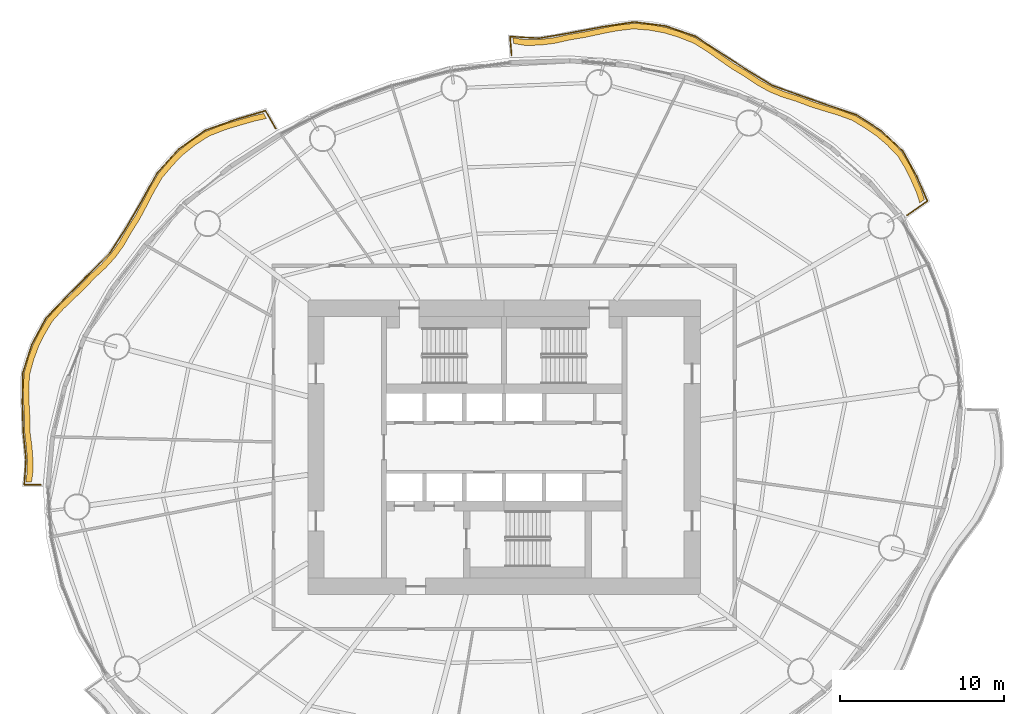
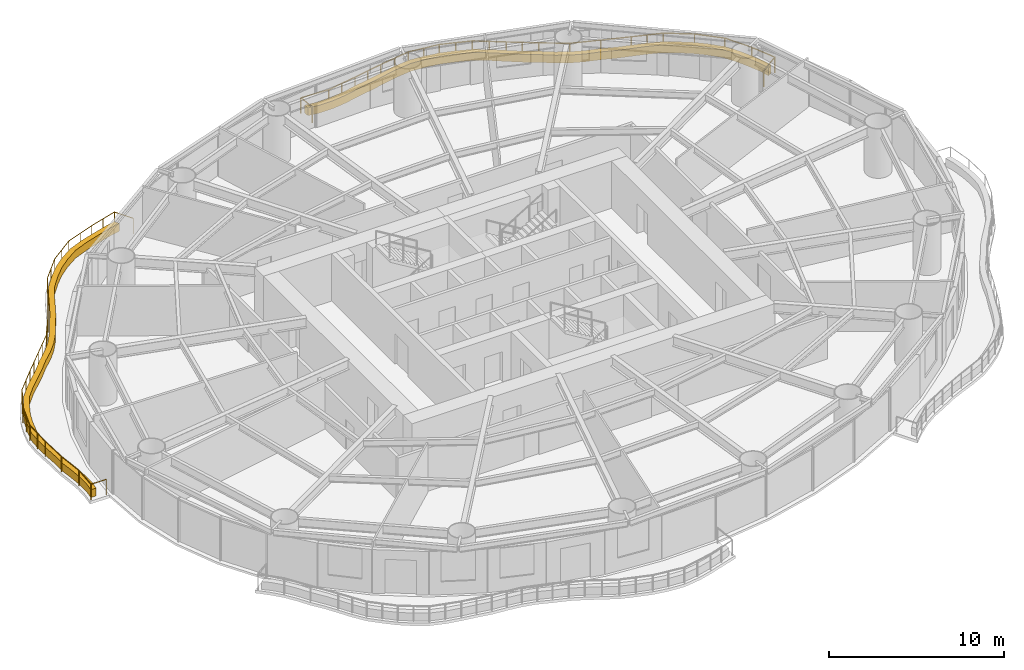
# One storey, part 16 of 16: 2 coverings, 2 railings.
"""IFC4 building model written with IfcOpenShell, lengths in metres."""

from ifc_helpers import new_model, si_unit, direction, frame, origin, origin_2d, place, context, subcontext, project, spatial, polyline, circle, outline, extrude, material, type_object, element, save


model = new_model("IFC4")

# Units and contexts
model_context = context("Model", 3, precision=1e-05, world=origin(), true_north=direction((0.0, 1.0)))
body_context = subcontext(model_context, "Body", "Model", "MODEL_VIEW")
ifc_project = project(units=[si_unit("LENGTHUNIT", "METRE"), si_unit("AREAUNIT", "SQUARE_METRE"), si_unit("VOLUMEUNIT", "CUBIC_METRE"), si_unit("PLANEANGLEUNIT", "RADIAN"), si_unit("MASSUNIT", "GRAM", prefix="KILO")], contexts=[model_context])

# Site, building, storey
site_placement = place(None, origin())
site = spatial("IfcSite", under=ifc_project, at=site_placement, CompositionType="ELEMENT")
building_placement = place(site_placement, origin())
building = spatial("IfcBuilding", under=site, at=building_placement, Name="Vermilion Reach Broadcast Tower", CompositionType="ELEMENT")
storey_placement = place(building_placement, frame((0.0, 0.0, 103.0)))
storey = spatial("IfcBuildingStorey", under=building, at=storey_placement, Name="L23", CompositionType="ELEMENT", Elevation=103.0)

# Coverings
ifc_material_1 = material(Name="Planting soil and greenery")
covering_type = type_object("IfcCoveringType", Name="Balcony PLANTER", PredefinedType="USERDEFINED", material=ifc_material_1)
placement = place(storey_placement, origin())
element("IfcCovering", 1, at=placement, inside=storey, type_object=covering_type, Name="PLANTER L23 group 1", ObjectType="PLANTER", PredefinedType="USERDEFINED", context=body_context, shape_type="SweptSolid", body=[
    extrude(outline(polyline([(19.686767578125, 15.15087890625), (19.47998046875, 15.7705078125), (19.154052734375, 16.521484375), (18.80126953125, 17.250244140625), (18.29052734375, 18.0791015625), (17.600830078125, 18.778564453125), (16.988037109375, 19.297119140625), (16.320556640625, 19.754150390625), (15.492431640625, 20.261474609375), (14.55322265625, 20.611083984375), (13.72998046875, 20.857666015625), (12.911865234375, 21.112060546875), (12.04638671875, 21.4462890625), (11.15087890625, 21.726318359375), (10.369140625, 22.048583984375), (9.628173828125, 22.45556640625), (8.854736328125, 22.9765625), (8.02392578125, 23.47265625), (7.281982421875, 23.986328125), (6.54296875, 24.50830078125), (5.66845703125, 25.046142578125), (4.702880859375, 25.419677734375), (3.8505859375, 25.67919921875), (2.977783203125, 25.838134765625), (1.952880859375, 25.92578125), (0.8994140625, 25.80712890625), (-0.02392578125, 25.623046875), (-0.9482421875, 25.424560546875), (-1.945068359375, 25.259765625), (-2.933349609375, 25.0458984375), (-3.849853515625, 24.931396484375), (-4.76953125, 24.92724609375), (-5.459228515625, 25.037109375), (-5.429443359375, 24.688232421875), (-4.759033203125, 24.577392578125), (-3.839111328125, 24.58154296875), (-2.9228515625, 24.696044921875), (-1.9541015625, 24.90966796875), (-0.97705078125, 25.07568359375), (-0.052734375, 25.2744140625), (0.87060546875, 25.458251953125), (1.90380859375, 25.579345703125), (2.908447265625, 25.494873046875), (3.78125, 25.336181640625), (4.633544921875, 25.07666015625), (5.578125, 24.707763671875), (6.432373046875, 24.17626953125), (7.17138671875, 23.654296875), (7.913330078125, 23.140625), (8.72314453125, 22.65234375), (9.47607421875, 22.140380859375), (10.217041015625, 21.7333984375), (10.998779296875, 21.4111328125), (11.873291015625, 21.14208984375), (12.718505859375, 20.820068359375), (13.53662109375, 20.565673828125), (14.35986328125, 20.3193359375), (15.27880859375, 19.984375), (16.087646484375, 19.49267578125), (16.755126953125, 19.03564453125), (17.367919921875, 18.51708984375), (18.0390625, 17.835693359375), (18.5322265625, 17.0263671875), (18.885009765625, 16.297607421875), (19.211181640625, 15.546630859375), (19.401123046875, 14.948486328125), (19.686767578125, 15.15087890625)])), origin(), (0.0, 0.0, 1.0), 0.550048828125),
])
element("IfcCovering", 2, at=placement, inside=storey, type_object=covering_type, Name="PLANTER L23 group 2", ObjectType="PLANTER", PredefinedType="USERDEFINED", context=body_context, shape_type="SweptSolid", body=[
    extrude(outline(polyline([(-20.7041015625, 20.41015625), (-21.421142578125, 20.2451171875), (-22.344970703125, 19.980712890625), (-23.260009765625, 19.702880859375), (-24.25390625, 19.30615234375), (-25.12744140625, 18.738037109375), (-25.83349609375, 18.171875), (-26.47216796875, 17.5234375), (-27.151123046875, 16.724853515625), (-27.677978515625, 15.825439453125), (-28.100830078125, 15.0009765625), (-28.535400390625, 14.1875), (-29.059326171875, 13.359375), (-29.532958984375, 12.540771484375), (-30.039306640625, 11.837890625), (-30.6240234375, 11.19384765625), (-31.328857421875, 10.535888671875), (-31.981689453125, 9.83984375), (-32.619873046875, 9.23193359375), (-33.255126953125, 8.6220703125), (-33.933349609375, 7.8623046875), (-34.430419921875, 7.011962890625), (-34.796142578125, 6.272705078125), (-35.07958984375, 5.500244140625), (-35.345458984375, 4.54296875), (-35.402587890625, 3.56103515625), (-35.375732421875, 2.728515625), (-35.330078125, 1.89111328125), (-35.3203125, 0.952392578125), (-35.21044921875, 0.0458984375), (-35.150390625, -0.748779296875), (-35.16455078125, -1.536376953125), (-35.240478515625, -2.10107421875), (-34.890625, -2.10595703125), (-34.81591796875, -1.568359375), (-34.8017578125, -0.780517578125), (-34.862060546875, 0.013916015625), (-34.97509765625, 0.89453125), (-34.990234375, 1.807861328125), (-35.035888671875, 2.645263671875), (-35.0625, 3.477783203125), (-35.01220703125, 4.435791015625), (-34.7548828125, 5.36962890625), (-34.471435546875, 6.14208984375), (-34.105712890625, 6.88134765625), (-33.6181640625, 7.7099609375), (-32.950927734375, 8.448974609375), (-32.31591796875, 9.05859375), (-31.677490234375, 9.666748046875), (-31.036376953125, 10.343505859375), (-30.344482421875, 10.983154296875), (-29.759765625, 11.626953125), (-29.25341796875, 12.330078125), (-28.793212890625, 13.132080078125), (-28.28369140625, 13.9443359375), (-27.84912109375, 14.757568359375), (-27.42626953125, 15.582275390625), (-26.9140625, 16.46728515625), (-26.25048828125, 17.25244140625), (-25.61181640625, 17.90087890625), (-24.90576171875, 18.467041015625), (-24.0478515625, 19.023193359375), (-23.0703125, 19.40869140625), (-22.155029296875, 19.6865234375), (-21.2314453125, 19.950927734375), (-20.53076171875, 20.106201171875), (-20.7041015625, 20.41015625)])), origin(), (0.0, 0.0, 1.0), 0.550048828125),
])

# Railings
ifc_material_2 = material(Name="Stainless steel 316 balustrade", Category="steel")
railing_type = type_object("IfcRailingType", Name="Balcony guard 1100", PredefinedType="BALUSTRADE", material=ifc_material_2)
railing_1_placement = place(storey_placement, frame((18.629638671875, 14.180908203125, 0.0)))
element("IfcRailing", 3, at=railing_1_placement, inside=storey, type_object=railing_type, Name="Balcony guard L23 group 1", PredefinedType="BALUSTRADE", context=body_context, shape_type="SweptSolid", body=[
    extrude(circle(Radius=0.02490234375, at=origin_2d()), frame((0.0, 0.0, 1.0751953125), z_axis=(0.815610019768, 0.578602018364, 0.0), x_axis=(-0.578602018364, 0.815610019768, 0.0)), (0.0, 0.0, 1.0), 1.517333984375),
    extrude(circle(Radius=0.02490234375, at=origin_2d()), frame((1.237548828125, 0.8779296875, 1.0751953125), z_axis=(-0.395349006362, 0.918530981061, 0.0), x_axis=(-0.918530981061, -0.395349006362, 0.0)), (0.0, 0.0, 1.0), 1.648193359375),
    extrude(circle(Radius=0.02490234375, at=origin_2d()), frame((0.5859375, 2.391845703125, 1.0751953125), z_axis=(-0.485492101165, 0.874241053547, 0.0), x_axis=(-0.874241053547, -0.485492101165, 0.0)), (0.0, 0.0, 1.0), 1.78662109375),
    extrude(circle(Radius=0.02490234375, at=origin_2d()), frame((-0.281494140625, 3.953857421875, 1.0751953125), z_axis=(-0.730515101549, 0.682896541512, 0.0), x_axis=(-0.682896541512, -0.730515101549, 0.0)), (0.0, 0.0, 1.0), 1.789306640625),
    extrude(circle(Radius=0.02490234375, at=origin_2d()), frame((-1.588623046875, 5.17578125, 1.0751953125), z_axis=(-0.840123769969, 0.542394737376, 0.0), x_axis=(-0.542394737376, -0.840123769969, 0.0)), (0.0, 0.0, 1.0), 1.78515625),
    extrude(circle(Radius=0.02490234375, at=origin_2d()), frame((-3.08837890625, 6.14404296875, 1.0751953125), z_axis=(-0.94700855298, 0.32120834451, 0.0), x_axis=(-0.32120834451, -0.94700855298, 0.0)), (0.0, 0.0, 1.0), 1.865966796875),
    extrude(circle(Radius=0.02490234375, at=origin_2d()), frame((-4.85546875, 6.743408203125, 1.0751953125), z_axis=(-0.943741273087, 0.330684758451, 0.0), x_axis=(-0.330684758451, -0.943741273087, 0.0)), (0.0, 0.0, 1.0), 1.788818359375),
    extrude(circle(Radius=0.02490234375, at=origin_2d()), frame((-6.543701171875, 7.3349609375, 1.0751953125), z_axis=(-0.941019680905, 0.338351828945, 0.0), x_axis=(-0.338351828945, -0.941019680905, 0.0)), (0.0, 0.0, 1.0), 1.787353515625),
    extrude(circle(Radius=0.02490234375, at=origin_2d()), frame((-8.2255859375, 7.939697265625, 1.0751953125), z_axis=(-0.852851304076, 0.522153859639, 0.0), x_axis=(-0.522153859639, -0.852851304076, 0.0)), (0.0, 0.0, 1.0), 1.781494140625),
    extrude(circle(Radius=0.02490234375, at=origin_2d()), frame((-9.744873046875, 8.869873046875, 1.0751953125), z_axis=(-0.841800203447, 0.53978923431, 0.0), x_axis=(-0.53978923431, -0.841800203447, 0.0)), (0.0, 0.0, 1.0), 1.873779296875),
    extrude(circle(Radius=0.02490234375, at=origin_2d()), frame((-11.322265625, 9.88134765625, 1.0751953125), z_axis=(-0.836295575802, 0.548278861433, 0.0), x_axis=(-0.548278861433, -0.836295575802, 0.0)), (0.0, 0.0, 1.0), 1.935302734375),
    extrude(circle(Radius=0.02490234375, at=origin_2d()), frame((-12.940673828125, 10.9423828125, 1.0751953125), z_axis=(-0.944438751219, 0.328687458227, 0.0), x_axis=(-0.328687458227, -0.944438751219, 0.0)), (0.0, 0.0, 1.0), 1.9296875),
    extrude(circle(Radius=0.02490234375, at=origin_2d()), frame((-14.76318359375, 11.57666015625, 1.0751953125), z_axis=(-0.9916386887, 0.129045383771, 0.0), x_axis=(-0.129045383771, -0.9916386887, 0.0)), (0.0, 0.0, 1.0), 1.91845703125),
    extrude(circle(Radius=0.02490234375, at=origin_2d()), frame((-16.66552734375, 11.82421875, 1.0751953125), z_axis=(-0.988565214468, -0.150793954597, 0.0), x_axis=(0.150793954597, -0.988565214468, 0.0)), (0.0, 0.0, 1.0), 2.00439453125),
    extrude(circle(Radius=0.02490234375, at=origin_2d()), frame((-18.64697265625, 11.52197265625, 1.0751953125), z_axis=(-0.982664223463, -0.185394239193, 0.0), x_axis=(0.185394239193, -0.982664223463, 0.0)), (0.0, 0.0, 1.0), 1.95947265625),
    extrude(circle(Radius=0.02490234375, at=origin_2d()), frame((-20.572509765625, 11.15869140625, 1.0751953125), z_axis=(-0.985532780073, -0.16948492382, 0.0), x_axis=(0.16948492382, -0.985532780073, 0.0)), (0.0, 0.0, 1.0), 1.9375),
    extrude(circle(Radius=0.02490234375, at=origin_2d()), frame((-22.48193359375, 10.830322265625, 1.0751953125), z_axis=(-0.998446523383, 0.05571839861, 0.0), x_axis=(-0.05571839861, -0.998446523383, 0.0)), (0.0, 0.0, 1.0), 1.79638671875),
    extrude(circle(Radius=0.02490234375, at=origin_2d()), frame((-24.275634765625, 10.930419921875, 1.0751953125), z_axis=(0.085170494836, -0.996366391851, 0.0), x_axis=(0.996366391851, 0.085170494836, 0.0)), (0.0, 0.0, 1.0), 1.140869140625),
    extrude(circle(Radius=0.02490234375, at=origin_2d()), origin(), (0.0, 0.0, 1.0), 1.050048828125),
    extrude(circle(Radius=0.02490234375, at=origin_2d()), frame((1.237548828125, 0.8779296875, 0.0)), (0.0, 0.0, 1.0), 1.050048828125),
    extrude(circle(Radius=0.02490234375, at=origin_2d()), frame((0.5859375, 2.391845703125, 0.0)), (0.0, 0.0, 1.0), 1.050048828125),
    extrude(circle(Radius=0.02490234375, at=origin_2d()), frame((-0.281494140625, 3.953857421875, 0.0)), (0.0, 0.0, 1.0), 1.050048828125),
    extrude(circle(Radius=0.02490234375, at=origin_2d()), frame((-1.588623046875, 5.17578125, 0.0)), (0.0, 0.0, 1.0), 1.050048828125),
    extrude(circle(Radius=0.02490234375, at=origin_2d()), frame((-3.08837890625, 6.14404296875, 0.0)), (0.0, 0.0, 1.0), 1.050048828125),
    extrude(circle(Radius=0.02490234375, at=origin_2d()), frame((-3.971923828125, 6.44384765625, 0.0)), (0.0, 0.0, 1.0), 1.050048828125),
    extrude(circle(Radius=0.02490234375, at=origin_2d()), frame((-4.85546875, 6.743408203125, 0.0)), (0.0, 0.0, 1.0), 1.050048828125),
    extrude(circle(Radius=0.02490234375, at=origin_2d()), frame((-6.543701171875, 7.3349609375, 0.0)), (0.0, 0.0, 1.0), 1.050048828125),
    extrude(circle(Radius=0.02490234375, at=origin_2d()), frame((-8.2255859375, 7.939697265625, 0.0)), (0.0, 0.0, 1.0), 1.050048828125),
    extrude(circle(Radius=0.02490234375, at=origin_2d()), frame((-9.744873046875, 8.869873046875, 0.0)), (0.0, 0.0, 1.0), 1.050048828125),
    extrude(circle(Radius=0.02490234375, at=origin_2d()), frame((-10.53369140625, 9.37548828125, 0.0)), (0.0, 0.0, 1.0), 1.050048828125),
    extrude(circle(Radius=0.02490234375, at=origin_2d()), frame((-11.322265625, 9.88134765625, 0.0)), (0.0, 0.0, 1.0), 1.050048828125),
    extrude(circle(Radius=0.02490234375, at=origin_2d()), frame((-12.13134765625, 10.411865234375, 0.0)), (0.0, 0.0, 1.0), 1.050048828125),
    extrude(circle(Radius=0.02490234375, at=origin_2d()), frame((-12.940673828125, 10.9423828125, 0.0)), (0.0, 0.0, 1.0), 1.050048828125),
    extrude(circle(Radius=0.02490234375, at=origin_2d()), frame((-13.85205078125, 11.259521484375, 0.0)), (0.0, 0.0, 1.0), 1.050048828125),
    extrude(circle(Radius=0.02490234375, at=origin_2d()), frame((-14.76318359375, 11.57666015625, 0.0)), (0.0, 0.0, 1.0), 1.050048828125),
    extrude(circle(Radius=0.02490234375, at=origin_2d()), frame((-15.71435546875, 11.700439453125, 0.0)), (0.0, 0.0, 1.0), 1.050048828125),
    extrude(circle(Radius=0.02490234375, at=origin_2d()), frame((-16.66552734375, 11.82421875, 0.0)), (0.0, 0.0, 1.0), 1.050048828125),
    extrude(circle(Radius=0.02490234375, at=origin_2d()), frame((-17.65625, 11.673095703125, 0.0)), (0.0, 0.0, 1.0), 1.050048828125),
    extrude(circle(Radius=0.02490234375, at=origin_2d()), frame((-18.64697265625, 11.52197265625, 0.0)), (0.0, 0.0, 1.0), 1.050048828125),
    extrude(circle(Radius=0.02490234375, at=origin_2d()), frame((-19.60986328125, 11.34033203125, 0.0)), (0.0, 0.0, 1.0), 1.050048828125),
    extrude(circle(Radius=0.02490234375, at=origin_2d()), frame((-20.572509765625, 11.15869140625, 0.0)), (0.0, 0.0, 1.0), 1.050048828125),
    extrude(circle(Radius=0.02490234375, at=origin_2d()), frame((-21.52734375, 10.99462890625, 0.0)), (0.0, 0.0, 1.0), 1.050048828125),
    extrude(circle(Radius=0.02490234375, at=origin_2d()), frame((-22.48193359375, 10.830322265625, 0.0)), (0.0, 0.0, 1.0), 1.050048828125),
    extrude(circle(Radius=0.02490234375, at=origin_2d()), frame((-24.275634765625, 10.930419921875, 0.0)), (0.0, 0.0, 1.0), 1.050048828125),
    extrude(circle(Radius=0.02490234375, at=origin_2d()), frame((-24.178466796875, 9.793701171875, 0.0)), (0.0, 0.0, 1.0), 1.050048828125),
])
railing_2_placement = place(storey_placement, frame((-19.971435546875, 19.488037109375, 0.0)))
element("IfcRailing", 4, at=railing_2_placement, inside=storey, type_object=railing_type, Name="Balcony guard L23 group 2", PredefinedType="BALUSTRADE", context=body_context, shape_type="SweptSolid", body=[
    extrude(circle(Radius=0.02490234375, at=origin_2d()), frame((0.0, 0.0, 1.0751953125), z_axis=(-0.495300027601, 0.868721982373, 0.0), x_axis=(-0.868721982373, -0.495300027601, 0.0)), (0.0, 0.0, 1.0), 1.25390625),
    extrude(circle(Radius=0.02490234375, at=origin_2d()), frame((-0.62109375, 1.08935546875, 1.0751953125), z_axis=(-0.959161746813, -0.282858168435, 0.0), x_axis=(0.282858168435, -0.959161746813, 0.0)), (0.0, 0.0, 1.0), 1.8720703125),
    extrude(circle(Radius=0.02490234375, at=origin_2d()), frame((-2.416748046875, 0.559814453125, 1.0751953125), z_axis=(-0.942685590391, -0.333682300505, 0.0), x_axis=(0.333682300505, -0.942685590391, 0.0)), (0.0, 0.0, 1.0), 2.02880859375),
    extrude(circle(Radius=0.02490234375, at=origin_2d()), frame((-4.329345703125, -0.1171875, 1.0751953125), z_axis=(-0.812258304082, -0.583297906262, 0.0), x_axis=(0.583297906262, -0.812258304082, 0.0)), (0.0, 0.0, 1.0), 1.94921875),
    extrude(circle(Radius=0.02490234375, at=origin_2d()), frame((-5.91259765625, -1.254150390625, 1.0751953125), z_axis=(-0.67342199013, -0.739258292621, 0.0), x_axis=(0.739258292621, -0.67342199013, 0.0)), (0.0, 0.0, 1.0), 1.961669921875),
    extrude(circle(Radius=0.02490234375, at=origin_2d()), frame((-7.233642578125, -2.704345703125, 1.0751953125), z_axis=(-0.483224544226, -0.875496453367, 0.0), x_axis=(0.875496453367, -0.483224544226, 0.0)), (0.0, 0.0, 1.0), 1.972900390625),
    extrude(circle(Radius=0.02490234375, at=origin_2d()), frame((-8.18701171875, -4.431640625, 1.0751953125), z_axis=(-0.504683365721, -0.86330452354, 0.0), x_axis=(0.86330452354, -0.504683365721, 0.0)), (0.0, 0.0, 1.0), 1.905517578125),
    extrude(circle(Radius=0.02490234375, at=origin_2d()), frame((-9.148681640625, -6.07666015625, 1.0751953125), z_axis=(-0.541749915493, -0.840539724857, 0.0), x_axis=(0.840539724857, -0.541749915493, 0.0)), (0.0, 0.0, 1.0), 1.814697265625),
    extrude(circle(Radius=0.02490234375, at=origin_2d()), frame((-10.1318359375, -7.60205078125, 1.0751953125), z_axis=(-0.703376830453, -0.7108171596, 0.0), x_axis=(0.7108171596, -0.703376830453, 0.0)), (0.0, 0.0, 1.0), 1.837646484375),
    extrude(circle(Radius=0.02490234375, at=origin_2d()), frame((-11.42431640625, -8.908203125, 1.0751953125), z_axis=(-0.703114929708, -0.711076223496, 0.0), x_axis=(0.711076223496, -0.703114929708, 0.0)), (0.0, 0.0, 1.0), 1.83984375),
    extrude(circle(Radius=0.02490234375, at=origin_2d()), frame((-12.718017578125, -10.216552734375, 1.0751953125), z_axis=(-0.691543014165, -0.722335281957, 0.0), x_axis=(0.722335281957, -0.691543014165, 0.0)), (0.0, 0.0, 1.0), 1.90283203125),
    extrude(circle(Radius=0.02490234375, at=origin_2d()), frame((-14.033935546875, -11.591064453125, 1.0751953125), z_axis=(-0.476842356738, -0.878988832023, 0.0), x_axis=(0.878988832023, -0.476842356738, 0.0)), (0.0, 0.0, 1.0), 1.81396484375),
    extrude(circle(Radius=0.02490234375, at=origin_2d()), frame((-14.89892578125, -13.185546875, 1.0751953125), z_axis=(-0.302799566499, -0.953054260013, 0.0), x_axis=(0.953054260013, -0.302799566499, 0.0)), (0.0, 0.0, 1.0), 1.820556640625),
    extrude(circle(Radius=0.02490234375, at=origin_2d()), frame((-15.4501953125, -14.920654296875, 1.0751953125), z_axis=(-0.017437648758, -0.999847952644, 0.0), x_axis=(0.999847952644, -0.017437648758, 0.0)), (0.0, 0.0, 1.0), 1.820068359375),
    extrude(circle(Radius=0.02490234375, at=origin_2d()), frame((-15.48193359375, -16.740478515625, 1.0751953125), z_axis=(0.030401066903, -0.999537780742, 0.0), x_axis=(0.999537780742, 0.030401066903, 0.0)), (0.0, 0.0, 1.0), 1.78271484375),
    extrude(circle(Radius=0.02490234375, at=origin_2d()), frame((-15.427734375, -18.5224609375, 1.0751953125), z_axis=(0.098630013182, -0.995124173407, 0.0), x_axis=(0.995124173407, 0.098630013182, 0.0)), (0.0, 0.0, 1.0), 1.71533203125),
    extrude(circle(Radius=0.02490234375, at=origin_2d()), frame((-15.258544921875, -20.2294921875, 1.0751953125), z_axis=(-0.069378311337, -0.997590421925, 0.0), x_axis=(0.997590421925, -0.069378311337, 0.0)), (0.0, 0.0, 1.0), 1.541259765625),
    extrude(circle(Radius=0.02490234375, at=origin_2d()), frame((-15.365478515625, -21.76708984375, 1.0751953125), z_axis=(0.999901594145, -0.014028614528, 0.0), x_axis=(0.014028614528, 0.999901594145, 0.0)), (0.0, 0.0, 1.0), 1.00927734375),
    extrude(circle(Radius=0.02490234375, at=origin_2d()), origin(), (0.0, 0.0, 1.0), 1.050048828125),
    extrude(circle(Radius=0.02490234375, at=origin_2d()), frame((-0.62109375, 1.08935546875, 0.0)), (0.0, 0.0, 1.0), 1.050048828125),
    extrude(circle(Radius=0.02490234375, at=origin_2d()), frame((-1.51904296875, 0.82470703125, 0.0)), (0.0, 0.0, 1.0), 1.050048828125),
    extrude(circle(Radius=0.02490234375, at=origin_2d()), frame((-2.416748046875, 0.559814453125, 0.0)), (0.0, 0.0, 1.0), 1.050048828125),
    extrude(circle(Radius=0.02490234375, at=origin_2d()), frame((-3.373046875, 0.22119140625, 0.0)), (0.0, 0.0, 1.0), 1.050048828125),
    extrude(circle(Radius=0.02490234375, at=origin_2d()), frame((-4.329345703125, -0.1171875, 0.0)), (0.0, 0.0, 1.0), 1.050048828125),
    extrude(circle(Radius=0.02490234375, at=origin_2d()), frame((-5.12109375, -0.685546875, 0.0)), (0.0, 0.0, 1.0), 1.050048828125),
    extrude(circle(Radius=0.02490234375, at=origin_2d()), frame((-5.91259765625, -1.254150390625, 0.0)), (0.0, 0.0, 1.0), 1.050048828125),
    extrude(circle(Radius=0.02490234375, at=origin_2d()), frame((-6.5732421875, -1.979248046875, 0.0)), (0.0, 0.0, 1.0), 1.050048828125),
    extrude(circle(Radius=0.02490234375, at=origin_2d()), frame((-7.233642578125, -2.704345703125, 0.0)), (0.0, 0.0, 1.0), 1.050048828125),
    extrude(circle(Radius=0.02490234375, at=origin_2d()), frame((-7.71044921875, -3.56787109375, 0.0)), (0.0, 0.0, 1.0), 1.050048828125),
    extrude(circle(Radius=0.02490234375, at=origin_2d()), frame((-8.18701171875, -4.431640625, 0.0)), (0.0, 0.0, 1.0), 1.050048828125),
    extrude(circle(Radius=0.02490234375, at=origin_2d()), frame((-8.66796875, -5.254150390625, 0.0)), (0.0, 0.0, 1.0), 1.050048828125),
    extrude(circle(Radius=0.02490234375, at=origin_2d()), frame((-9.148681640625, -6.07666015625, 0.0)), (0.0, 0.0, 1.0), 1.050048828125),
    extrude(circle(Radius=0.02490234375, at=origin_2d()), frame((-9.64013671875, -6.83935546875, 0.0)), (0.0, 0.0, 1.0), 1.050048828125),
    extrude(circle(Radius=0.02490234375, at=origin_2d()), frame((-10.1318359375, -7.60205078125, 0.0)), (0.0, 0.0, 1.0), 1.050048828125),
    extrude(circle(Radius=0.02490234375, at=origin_2d()), frame((-10.778076171875, -8.255126953125, 0.0)), (0.0, 0.0, 1.0), 1.050048828125),
    extrude(circle(Radius=0.02490234375, at=origin_2d()), frame((-11.42431640625, -8.908203125, 0.0)), (0.0, 0.0, 1.0), 1.050048828125),
    extrude(circle(Radius=0.02490234375, at=origin_2d()), frame((-12.0712890625, -9.5625, 0.0)), (0.0, 0.0, 1.0), 1.050048828125),
    extrude(circle(Radius=0.02490234375, at=origin_2d()), frame((-12.718017578125, -10.216552734375, 0.0)), (0.0, 0.0, 1.0), 1.050048828125),
    extrude(circle(Radius=0.02490234375, at=origin_2d()), frame((-13.3759765625, -10.90380859375, 0.0)), (0.0, 0.0, 1.0), 1.050048828125),
    extrude(circle(Radius=0.02490234375, at=origin_2d()), frame((-14.033935546875, -11.591064453125, 0.0)), (0.0, 0.0, 1.0), 1.050048828125),
    extrude(circle(Radius=0.02490234375, at=origin_2d()), frame((-14.46630859375, -12.38818359375, 0.0)), (0.0, 0.0, 1.0), 1.050048828125),
    extrude(circle(Radius=0.02490234375, at=origin_2d()), frame((-14.89892578125, -13.185546875, 0.0)), (0.0, 0.0, 1.0), 1.050048828125),
    extrude(circle(Radius=0.02490234375, at=origin_2d()), frame((-15.174560546875, -14.05322265625, 0.0)), (0.0, 0.0, 1.0), 1.050048828125),
    extrude(circle(Radius=0.02490234375, at=origin_2d()), frame((-15.4501953125, -14.920654296875, 0.0)), (0.0, 0.0, 1.0), 1.050048828125),
    extrude(circle(Radius=0.02490234375, at=origin_2d()), frame((-15.466064453125, -15.83056640625, 0.0)), (0.0, 0.0, 1.0), 1.050048828125),
    extrude(circle(Radius=0.02490234375, at=origin_2d()), frame((-15.48193359375, -16.740478515625, 0.0)), (0.0, 0.0, 1.0), 1.050048828125),
    extrude(circle(Radius=0.02490234375, at=origin_2d()), frame((-15.427734375, -18.5224609375, 0.0)), (0.0, 0.0, 1.0), 1.050048828125),
    extrude(circle(Radius=0.02490234375, at=origin_2d()), frame((-15.258544921875, -20.2294921875, 0.0)), (0.0, 0.0, 1.0), 1.050048828125),
    extrude(circle(Radius=0.02490234375, at=origin_2d()), frame((-15.365478515625, -21.76708984375, 0.0)), (0.0, 0.0, 1.0), 1.050048828125),
    extrude(circle(Radius=0.02490234375, at=origin_2d()), frame((-14.356201171875, -21.78125, 0.0)), (0.0, 0.0, 1.0), 1.050048828125),
])

save(model, "model.ifc")
